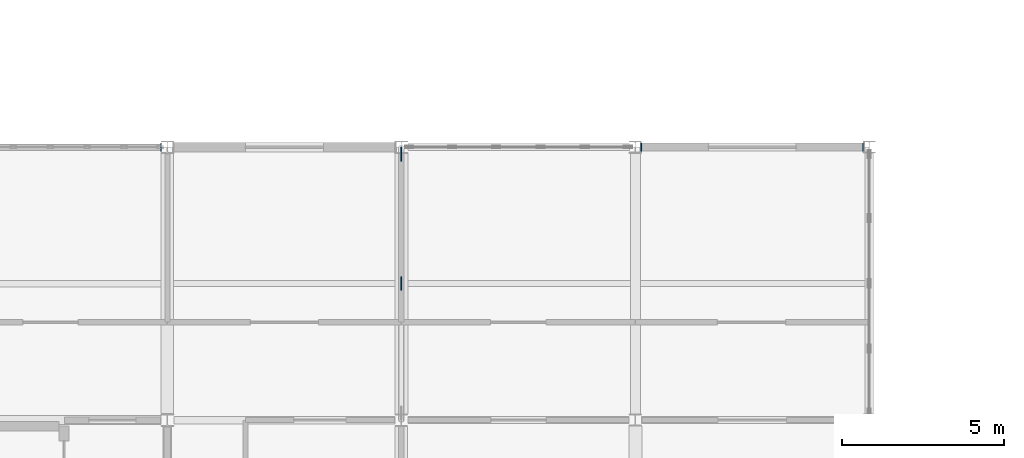
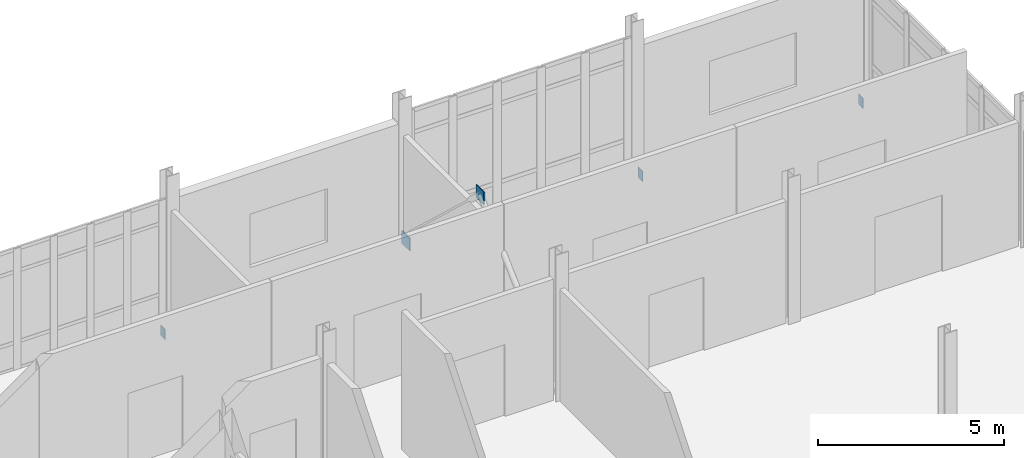
# One storey, part 156 of 186: 5 plates.
"""IFC4 building model written with IfcOpenShell, lengths in metres."""

import ifcopenshell
import ifcopenshell.guid

model = None  # the IFC model being written
_history = None  # IfcOwnerHistory: only IFC2X3 demands one
_inside = {}  # id of a spatial element -> (the spatial element, [elements in it])
_under = {}  # id of a project, library or spatial element -> (it, [spatial elements below it])
_declared = {}  # id of a project -> (the project, [libraries it declares])
_typed = {}  # id of a type object -> (the type object, [elements of that type])
_made_of = {}  # id of a material, layer set ... -> (it, [elements and type objects made of it])


def new_model(schema):
    """Start an empty IFC model of exactly this schema.

    Asked for "IFC4X3", IfcOpenShell would pick the latest addendum, in which some entities
    have other attributes; the version numbers below select the first issue.
    IFC2X3 requires an IfcOwnerHistory on every rooted entity: one is made here for all.
    """
    global model, _history
    if schema == "IFC4X3":
        model = ifcopenshell.file(schema_version=(4, 3, 0, 0))
    else:
        model = ifcopenshell.file(schema=schema)
    _inside.clear()
    _under.clear()
    _declared.clear()
    _typed.clear()
    _made_of.clear()
    _history = None
    if model.schema == "IFC2X3":
        org = make("IfcOrganization", Name="unknown")
        user = make(
            "IfcPersonAndOrganization",
            ThePerson=make("IfcPerson", FamilyName="unknown"),
            TheOrganization=org,
        )
        app = make(
            "IfcApplication",
            ApplicationDeveloper=org,
            Version="unknown",
            ApplicationFullName="unknown",
            ApplicationIdentifier="unknown",
        )
        _history = make(
            "IfcOwnerHistory",
            OwningUser=user,
            OwningApplication=app,
            ChangeAction="ADDED",
            CreationDate=0,
        )
    return model


def make(cls, **values):
    """One entity of the class cls with the attributes given. An attribute that is None is left unset."""
    return model.create_entity(
        cls, **{name: value for name, value in values.items() if value is not None}
    )


def rooted(cls, **values):
    """An entity with a GlobalId (a new one), such as an element, a storey or a relation."""
    return make(cls, GlobalId=ifcopenshell.guid.new(), OwnerHistory=_history, **values)


def si_unit(unit_type, name, prefix=None):
    """IfcSIUnit, for example si_unit("LENGTHUNIT", "METRE", prefix="MILLI")."""
    return make("IfcSIUnit", UnitType=unit_type, Prefix=prefix, Name=name)


def assignment(units):
    """IfcUnitAssignment: the units of a project."""
    return None if units is None else make("IfcUnitAssignment", Units=units)


def point(xyz):
    """IfcCartesianPoint."""
    return None if xyz is None else make("IfcCartesianPoint", Coordinates=xyz)


def direction(xyz):
    """IfcDirection."""
    return None if xyz is None else make("IfcDirection", DirectionRatios=xyz)


def frame(location, z_axis=None, x_axis=None):
    """IfcAxis2Placement3D, a coordinate frame: its origin and axes. An axis left out is left unset."""
    return make(
        "IfcAxis2Placement3D",
        Location=point(location),
        Axis=direction(z_axis),
        RefDirection=direction(x_axis),
    )


def frame_2d(location, x_axis=None):
    """IfcAxis2Placement2D, a coordinate frame in the plane: its origin and x axis."""
    return make(
        "IfcAxis2Placement2D", Location=point(location), RefDirection=direction(x_axis)
    )


def origin():
    """The frame at (0, 0, 0) with its axes left unset."""
    return frame((0.0, 0.0, 0.0))


def origin_2d():
    """The frame at (0, 0) in the plane with its x axis left unset."""
    return frame_2d((0.0, 0.0))


def place(relative_to, where):
    """IfcLocalPlacement: puts the frame where relative to a parent placement (None: the world)."""
    return make(
        "IfcLocalPlacement", PlacementRelTo=relative_to, RelativePlacement=where
    )


def context(
    kind, dimensions, precision=None, world=None, true_north=None, identifier=None
):
    """IfcGeometricRepresentationContext, for example the 3D "Model" context."""
    return make(
        "IfcGeometricRepresentationContext",
        ContextIdentifier=identifier,
        ContextType=kind,
        CoordinateSpaceDimension=dimensions,
        Precision=precision,
        WorldCoordinateSystem=world,
        TrueNorth=true_north,
    )


def subcontext(parent, identifier, kind, view, scale=None):
    """IfcGeometricRepresentationSubContext, for example "Body" below "Model"."""
    return make(
        "IfcGeometricRepresentationSubContext",
        ContextIdentifier=identifier,
        ContextType=kind,
        ParentContext=parent,
        TargetScale=scale,
        TargetView=view,
    )


def project(units=None, contexts=None):
    """IfcProject with its units and contexts."""
    return rooted(
        "IfcProject",
        Name="project",
        RepresentationContexts=contexts,
        UnitsInContext=assignment(units),
    )


def spatial(cls, under=None, at=None, **own):
    """A site, building, storey or space (cls), placed at a placement, below another one or the project."""
    s = rooted(cls, ObjectPlacement=at, **own)
    if under is not None:
        _under.setdefault(under.id(), (under, []))[1].append(s)
    return s


def profile(cls, at=None, kind="AREA", **sizes):
    """A parametric profile (cls). Its sizes go by their IFC names, for example OverallWidth=200.0."""
    return make(cls, ProfileType=kind, Position=at, **sizes)


def rectangle(**sizes):
    """IfcRectangleProfileDef."""
    return profile("IfcRectangleProfileDef", **sizes)


def extrude(swept, where, along, depth):
    """IfcExtrudedAreaSolid: the profile swept, set in the frame where, extruded along a direction by depth."""
    return make(
        "IfcExtrudedAreaSolid",
        SweptArea=swept,
        Position=where,
        ExtrudedDirection=direction(along),
        Depth=depth,
    )


def shape(context_of_items, identifier, shape_type, items):
    """IfcShapeRepresentation: the items that make up one representation, for example the "Body"."""
    return make(
        "IfcShapeRepresentation",
        ContextOfItems=context_of_items,
        RepresentationIdentifier=identifier,
        RepresentationType=shape_type,
        Items=items,
    )


def material(Name=None, Category=None):
    """IfcMaterial."""
    return make("IfcMaterial", Name=Name, Category=Category)


def layer(
    of_material, thickness, ventilated=None, Name=None, Category=None, Priority=None
):
    """IfcMaterialLayer: one layer of a wall or slab, of a material (None: an air gap)."""
    return make(
        "IfcMaterialLayer",
        Material=of_material,
        LayerThickness=thickness,
        IsVentilated=ventilated,
        Name=Name,
        Category=Category,
        Priority=Priority,
    )


def layer_set(layers, Name=None):
    """IfcMaterialLayerSet."""
    return make("IfcMaterialLayerSet", MaterialLayers=layers, LayerSetName=Name)


def made_of(thing, what):
    """Note that an element or type object is made of a material, layer set ...; save() writes the relation."""
    if what is not None:
        _made_of.setdefault(what.id(), (what, []))[1].append(thing)
    return thing


def type_object(cls, material=None, **own):
    """A type object (cls), such as IfcWallType, which elements share."""
    return made_of(rooted(cls, **own), material)


def element(
    cls,
    number,
    at=None,
    inside=None,
    cuts=None,
    type_object=None,
    material=None,
    context=None,
    identifier="Body",
    shape_type=None,
    held_by="IfcProductDefinitionShape",
    body=None,
    shapes=None,
    **own,
):
    """One element of the class cls, such as IfcWall. Its Tag is "e" and its number.

    at: its placement. inside: the storey or other place that contains it. cuts: it is an
    opening in that element (IfcRelVoidsElement). A single representation is given by context,
    identifier, shape_type and body (its items); several are given by shapes. held_by: the class
    of the entity that holds the representations. save() writes the other relations.
    """
    e = rooted(cls, Tag="e%d" % number, ObjectPlacement=at, **own)
    if body is not None:
        shapes = [shape(context, identifier, shape_type, body)]
    if shapes is not None:
        e.Representation = make(held_by, Representations=shapes)
    if inside is not None:
        _inside.setdefault(inside.id(), (inside, []))[1].append(e)
    if cuts is not None:
        rooted(
            "IfcRelVoidsElement", RelatingBuildingElement=cuts, RelatedOpeningElement=e
        )
    if type_object is not None:
        _typed.setdefault(type_object.id(), (type_object, []))[1].append(e)
    return made_of(e, material)


def aggregate(whole, parts):
    """IfcRelAggregates: a whole, such as a stair, and the parts it consists of."""
    return rooted("IfcRelAggregates", RelatingObject=whole, RelatedObjects=parts)


def save(model, path):
    """Write the relations noted so far, then the file.

    IfcRelAggregates (storeys below a building ...), IfcRelContainedInSpatialStructure (elements
    in a storey), IfcRelDefinesByType, IfcRelAssociatesMaterial and IfcRelDeclares: one each for
    every whole, place, type object, material and project.
    """
    for whole, parts in _under.values():
        aggregate(whole, parts)
    for where, things in _inside.values():
        rooted(
            "IfcRelContainedInSpatialStructure",
            RelatedElements=things,
            RelatingStructure=where,
        )
    for kind, things in _typed.values():
        rooted("IfcRelDefinesByType", RelatedObjects=things, RelatingType=kind)
    for what, things in _made_of.values():
        rooted("IfcRelAssociatesMaterial", RelatedObjects=things, RelatingMaterial=what)
    for by, libraries in _declared.values():
        rooted("IfcRelDeclares", RelatingContext=by, RelatedDefinitions=libraries)
    model.write(path)


model = new_model("IFC4")

# Units and contexts
model_context = context("Model", 3, precision=1e-05, world=origin(), true_north=direction((0.0, 1.0)))
body_context = subcontext(model_context, "Body", "Model", "MODEL_VIEW")
ifc_project = project(units=[si_unit("LENGTHUNIT", "METRE"), si_unit("AREAUNIT", "SQUARE_METRE"), si_unit("VOLUMEUNIT", "CUBIC_METRE"), si_unit("PLANEANGLEUNIT", "RADIAN"), si_unit("MASSUNIT", "GRAM", prefix="KILO")], contexts=[model_context])

# Site, building, storey
site_placement = place(None, origin())
site = spatial("IfcSite", under=ifc_project, at=site_placement, CompositionType="ELEMENT")
building_placement = place(site_placement, origin())
building = spatial("IfcBuilding", under=site, at=building_placement, Name="Calvrana Isthmian Art Gallery", CompositionType="ELEMENT")
storey_placement = place(building_placement, frame((0.0, 0.0, 5.39990234375)))
storey = spatial("IfcBuildingStorey", under=building, at=storey_placement, Name="L01", CompositionType="ELEMENT", Elevation=5.39990234375)

# Plates
ifc_material = material(Name="Steel ASTM A572 Gr 50", Category="steel")
ifc_layer_1 = layer(ifc_material, 0.01611328125, Name="Steel ASTM A572 Gr 50")
ifc_layer_set_1 = layer_set([ifc_layer_1], Name="Steel ASTM A572 Gr 50")
plate_type_1 = type_object("IfcPlateType", Name="PL-CAP-16", PredefinedType="SHEET", material=ifc_layer_set_1)
for number, where, z_axis, x_axis, name in (
    (1, (134.197998046875, 46.800048828125, -0.569580078125), (0.0, 0.0, 1.0), (1.0, 0.0, 0.0), "Hollow section end cap plate 422"),
    (2, (148.98388671875, 46.800048828125, -0.569580078125), (0.0, 0.0, 1.0), (1.0, 0.0, 0.0), "Hollow section end cap plate 423"),
    (3, (155.8134765625, 46.800048828125, -0.569580078125), (0.0, 0.0, 1.0), (1.0, 0.0, 0.0), "Hollow section end cap plate 424"),
):
    element("IfcPlate", number, at=place(storey_placement, frame(where, z_axis=z_axis, x_axis=x_axis)), inside=storey, type_object=plate_type_1, Name=name, PredefinedType="SHEET", context=body_context, shape_type="SweptSolid", body=[
        extrude(rectangle(XDim=0.01611328125, YDim=0.2431640625, at=origin_2d()), origin(), (0.0, 0.0, 1.0), 0.3447265625),
    ])
ifc_layer_2 = layer(ifc_material, 0.031982421875, Name="Steel ASTM A572 Gr 50")
ifc_layer_set_2 = layer_set([ifc_layer_2], Name="Steel ASTM A572 Gr 50")
plate_type_2 = type_object("IfcPlateType", Name="PL-GUSSET-32", PredefinedType="USERDEFINED", material=ifc_layer_set_2)
for number, where, z_axis, x_axis, name in (
    (4, (141.60009765625, 42.60009765625, 3.861572265625), (0.0, 0.0, 1.0), (1.0, 0.0, 0.0), "Chevron brace gusset plate L01-8M"),
    (5, (141.60009765625, 46.580078125, -0.059814453125), (0.0, 0.0, 1.0), (1.0, 0.0, 0.0), "Chevron brace gusset plate L01-8R"),
):
    element("IfcPlate", number, at=place(storey_placement, frame(where, z_axis=z_axis, x_axis=x_axis)), inside=storey, type_object=plate_type_2, Name=name, ObjectType="GUSSET PLATE", PredefinedType="USERDEFINED", context=body_context, shape_type="SweptSolid", body=[
        extrude(rectangle(XDim=0.031982421875, YDim=0.419921875, at=origin_2d()), origin(), (0.0, 0.0, 1.0), 0.419921875),
    ])

save(model, "model.ifc")
